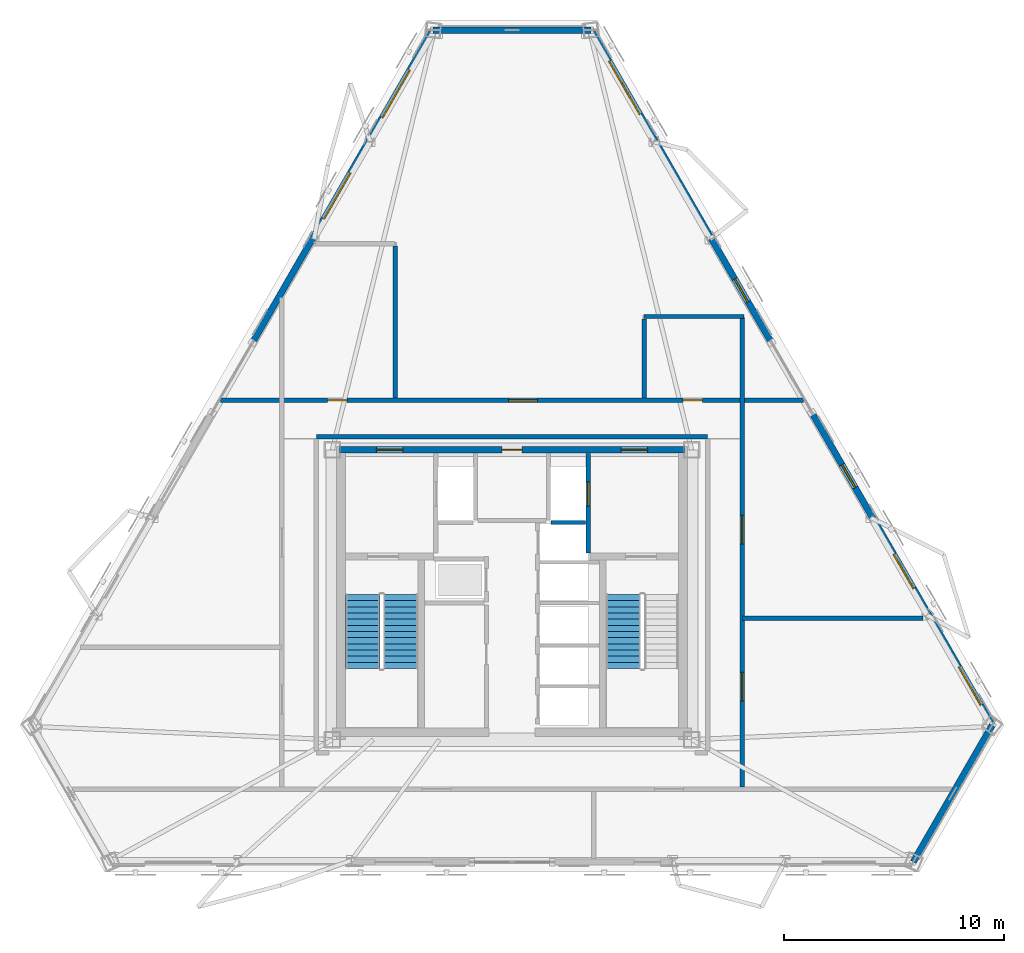
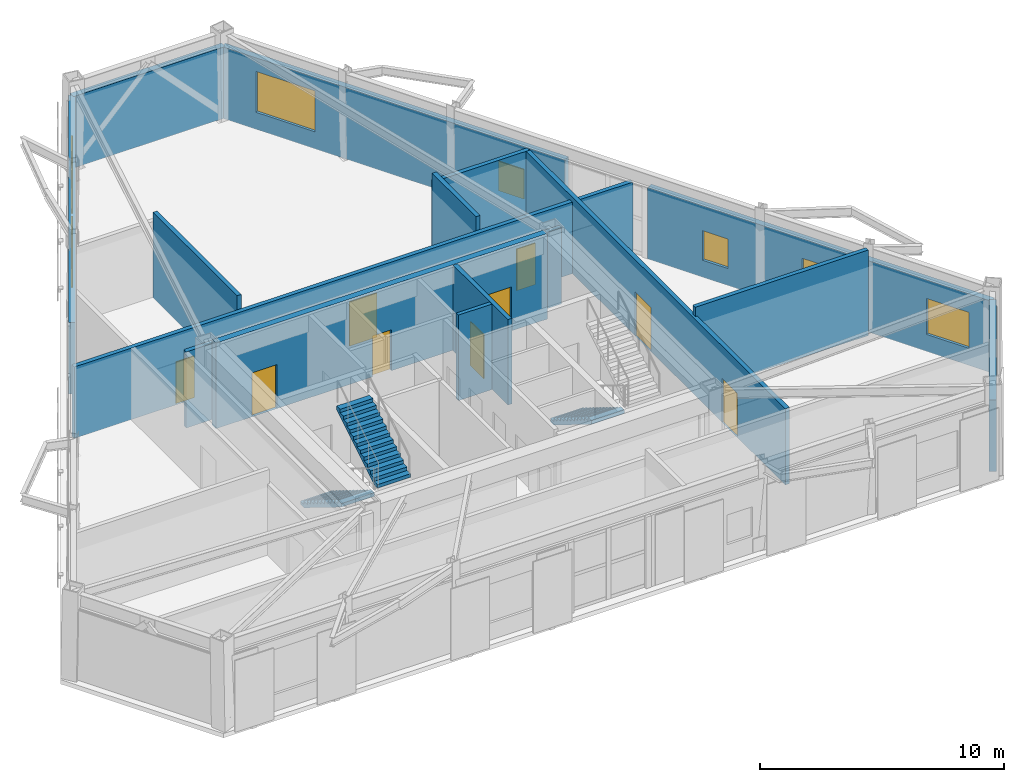
# One storey, part 9 of 14: 15 walls, 9 doors, 7 windows, 3 stair flights, 16 openings, 2 elements without a shape of their own.
"""IFC4 building model written with IfcOpenShell, lengths in metres."""

from ifc_helpers import new_model, si_unit, direction, frame, frame_2d, origin, place, context, subcontext, project, spatial, polyline, rectangle, outline, extrude, material, layer, layer_set, type_object, element, fill, aggregate, save


model = new_model("IFC4")

# Units and contexts
model_context = context("Model", 3, precision=1e-05, world=origin(), true_north=direction((0.0, 1.0)))
body_context = subcontext(model_context, "Body", "Model", "MODEL_VIEW")
ifc_project = project(units=[si_unit("LENGTHUNIT", "METRE"), si_unit("AREAUNIT", "SQUARE_METRE"), si_unit("VOLUMEUNIT", "CUBIC_METRE"), si_unit("PLANEANGLEUNIT", "RADIAN"), si_unit("MASSUNIT", "GRAM", prefix="KILO")], contexts=[model_context])

# Site, building, storey
site_placement = place(None, origin())
site = spatial("IfcSite", under=ifc_project, at=site_placement, CompositionType="ELEMENT")
building_placement = place(site_placement, origin())
building = spatial("IfcBuilding", under=site, at=building_placement, Name="Oramaril Tower", CompositionType="ELEMENT")
storey_placement = place(building_placement, frame((0.0, 0.0, 204.60009765625)))
storey = spatial("IfcBuildingStorey", under=building, at=storey_placement, Name="L54", CompositionType="ELEMENT", Elevation=204.60009765625)

# Wall
ifc_material_1 = material(Name="Warm Cream Limestone", Category="masonry")
ifc_layer_1 = layer(ifc_material_1, 0.2900390625)
ifc_layer_set_1 = layer_set([ifc_layer_1], Name="WT-EXT29")
wall_type_1 = type_object("IfcWallType", Name="WT-EXT29", PredefinedType="SOLIDWALL", material=ifc_layer_set_1)
wall_1_placement = place(storey_placement, frame((55.704833984375, 5.44921875, 0.0), z_axis=(0.0, 0.0, 1.0), x_axis=(0.499983756713, 0.866034781647, 0.0)))
element("IfcWall", 1, at=wall_1_placement, inside=storey, type_object=wall_type_1, Name="L54 Tower Limestone Facade Wall 3M", PredefinedType="SOLIDWALL", context=body_context, shape_type="SweptSolid", body=[
    extrude(rectangle(XDim=7.171142578125, YDim=0.2900390625, at=frame_2d((3.58544921875, 0.0))), origin(), (0.0, 0.0, 1.0), 3.576904296875),
])

# Wall, openings, windows
wall_2_placement = place(storey_placement, frame((59.290283203125, 11.65966796875, 0.0), z_axis=(0.0, 0.0, 1.0), x_axis=(-0.499999813892, 0.866025511234, 0.0)))
wall_2 = element("IfcWall", 2, at=wall_2_placement, inside=storey, type_object=wall_type_1, Name="L54 Tower Limestone Facade Wall 4L", PredefinedType="SOLIDWALL", context=body_context, shape_type="SweptSolid", body=[
    extrude(rectangle(XDim=16.2548828125, YDim=0.2900390625, at=frame_2d((8.12744140625, 0.0))), origin(), (0.0, 0.0, 1.0), 3.576904296875),
])
opening_1_placement = place(wall_2_placement, frame((1.04541015625, 0.0, 0.85009765625)))
opening_1 = element("IfcOpeningElement", 3, at=opening_1_placement, cuts=wall_2, Name="Opening WN-05", PredefinedType="OPENING", context=body_context, shape_type="SweptSolid", body=[
    extrude(rectangle(XDim=2.0, YDim=1.800048828125, at=frame_2d((1.0, 0.89990234375))), frame((0.0, 0.14501953125, 0.0), z_axis=(0.0, -1.0, 0.0), x_axis=(1.0, 0.0, 0.0)), (0.0, 0.0, 1.0), 0.2900390625),
])
opening_2_placement = place(wall_2_placement, frame((7.1474609375, 0.0, 0.85009765625)))
opening_2 = element("IfcOpeningElement", 4, at=opening_2_placement, cuts=wall_2, Name="Opening WN-06", PredefinedType="OPENING", context=body_context, shape_type="SweptSolid", body=[
    extrude(rectangle(XDim=1.800048828125, YDim=1.75, at=frame_2d((0.89990234375, 0.875))), frame((0.0, 0.14501953125, 0.0), z_axis=(0.0, -1.0, 0.0), x_axis=(1.0, 0.0, 0.0)), (0.0, 0.0, 1.0), 0.2900390625),
])
opening_3_placement = place(wall_2_placement, frame((12.44189453125, 0.0, 0.85009765625)))
opening_3 = element("IfcOpeningElement", 5, at=opening_3_placement, cuts=wall_2, Name="Opening WN-09", PredefinedType="OPENING", context=body_context, shape_type="SweptSolid", body=[
    extrude(rectangle(XDim=1.199951171875, YDim=1.47998046875, at=frame_2d((0.60009765625, 0.739990234375))), frame((0.0, 0.14501953125, 0.0), z_axis=(0.0, -1.0, 0.0), x_axis=(1.0, 0.0, 0.0)), (0.0, 0.0, 1.0), 0.2900390625),
])
ifc_material_2 = material(Name="Coastal Low-E Insulated Glass", Category="glass")
window_type_1 = type_object("IfcWindowType", Name="WNT-05", PartitioningType="SINGLE_PANEL", PredefinedType="WINDOW", material=ifc_material_2)
window_1_placement = place(opening_1_placement, origin())
window_1 = element("IfcWindow", 6, at=window_1_placement, inside=storey, type_object=window_type_1, Name="L54 Chicago Bay Window WN-05", OverallHeight=1.800048828125, OverallWidth=2.0, PartitioningType="SINGLE_PANEL", PredefinedType="WINDOW", context=body_context, shape_type="SweptSolid", body=[
    extrude(rectangle(XDim=2.0, YDim=1.800048828125, at=frame_2d((1.0, 0.89990234375))), frame((0.0, 0.030029296875, 0.0), z_axis=(0.0, -1.0, 0.0), x_axis=(1.0, 0.0, 0.0)), (0.0, 0.0, 1.0), 0.06005859375),
])
fill(opening_1, window_1)
ifc_material_3 = material(Name="Coastal Low-E Insulated Glass", Category="glass")
window_type_2 = type_object("IfcWindowType", Name="WNT-06", PartitioningType="SINGLE_PANEL", PredefinedType="WINDOW", material=ifc_material_3)
window_2_placement = place(opening_2_placement, origin())
window_2 = element("IfcWindow", 7, at=window_2_placement, inside=storey, type_object=window_type_2, Name="L54 Chicago Bay Window WN-06", OverallHeight=1.75, OverallWidth=1.800048828125, PartitioningType="SINGLE_PANEL", PredefinedType="WINDOW", context=body_context, shape_type="SweptSolid", body=[
    extrude(rectangle(XDim=1.800048828125, YDim=1.75, at=frame_2d((0.89990234375, 0.875))), frame((0.0, 0.030029296875, 0.0), z_axis=(0.0, -1.0, 0.0), x_axis=(1.0, 0.0, 0.0)), (0.0, 0.0, 1.0), 0.06005859375),
])
fill(opening_2, window_2)
ifc_material_4 = material(Name="Coastal Low-E Insulated Glass", Category="glass")
window_type_3 = type_object("IfcWindowType", Name="WNT-09", PartitioningType="SINGLE_PANEL", PredefinedType="WINDOW", material=ifc_material_4)
window_3_placement = place(opening_3_placement, origin())
window_3 = element("IfcWindow", 8, at=window_3_placement, inside=storey, type_object=window_type_3, Name="L54 Chicago Bay Window WN-09", OverallHeight=1.47998046875, OverallWidth=1.199951171875, PartitioningType="SINGLE_PANEL", PredefinedType="WINDOW", context=body_context, shape_type="SweptSolid", body=[
    extrude(rectangle(XDim=1.199951171875, YDim=1.47998046875, at=frame_2d((0.60009765625, 0.739990234375))), frame((0.0, 0.030029296875, 0.0), z_axis=(0.0, -1.0, 0.0), x_axis=(1.0, 0.0, 0.0)), (0.0, 0.0, 1.0), 0.06005859375),
])
fill(opening_3, window_3)

wall_3_placement = place(storey_placement, frame((49.212890625, 29.1142578125, 0.0), z_axis=(0.0, 0.0, 1.0), x_axis=(-0.500006317603, 0.866021756284, 0.0)))
wall_3 = element("IfcWall", 9, at=wall_3_placement, inside=storey, type_object=wall_type_1, Name="L54 Tower Limestone Facade Wall 4R", PredefinedType="SOLIDWALL", context=body_context, shape_type="SweptSolid", body=[
    extrude(rectangle(XDim=16.254638671875, YDim=0.2900390625, at=frame_2d((8.12744140625, 0.0))), origin(), (0.0, 0.0, 1.0), 3.576904296875),
])
opening_4_placement = place(wall_3_placement, frame((2.019287109375, 0.0, 0.85009765625)))
opening_4 = element("IfcOpeningElement", 10, at=opening_4_placement, cuts=wall_3, Name="Opening WN-09", PredefinedType="OPENING", context=body_context, shape_type="SweptSolid", body=[
    extrude(rectangle(XDim=1.199951171875, YDim=1.47998046875, at=frame_2d((0.60009765625, 0.739990234375))), frame((0.0, 0.14501953125, 0.0), z_axis=(0.0, -1.0, 0.0), x_axis=(1.0, 0.0, 0.0)), (0.0, 0.0, 1.0), 0.2900390625),
])
opening_5_placement = place(wall_3_placement, frame((11.83544921875, 0.0, 0.85009765625)))
opening_5 = element("IfcOpeningElement", 11, at=opening_5_placement, cuts=wall_3, Name="Opening WN-01", PredefinedType="OPENING", context=body_context, shape_type="SweptSolid", body=[
    extrude(rectangle(XDim=2.800048828125, YDim=2.050048828125, at=frame_2d((1.39990234375, 1.02490234375))), frame((0.0, 0.14501953125, 0.0), z_axis=(0.0, -1.0, 0.0), x_axis=(1.0, 0.0, 0.0)), (0.0, 0.0, 1.0), 0.2900390625),
])
ifc_material_5 = material(Name="Coastal Low-E Insulated Glass", Category="glass")
window_type_4 = type_object("IfcWindowType", Name="WNT-01", PartitioningType="SINGLE_PANEL", PredefinedType="WINDOW", material=ifc_material_5)
window_4_placement = place(opening_5_placement, origin())
window_4 = element("IfcWindow", 12, at=window_4_placement, inside=storey, type_object=window_type_4, Name="L54 Chicago Bay Window WN-01", OverallHeight=2.050048828125, OverallWidth=2.800048828125, PartitioningType="SINGLE_PANEL", PredefinedType="WINDOW", context=body_context, shape_type="SweptSolid", body=[
    extrude(rectangle(XDim=2.800048828125, YDim=2.050048828125, at=frame_2d((1.39990234375, 1.02490234375))), frame((0.0, 0.030029296875, 0.0), z_axis=(0.0, -1.0, 0.0), x_axis=(1.0, 0.0, 0.0)), (0.0, 0.0, 1.0), 0.06005859375),
])
fill(opening_5, window_4)
window_5_placement = place(opening_4_placement, origin())
window_5 = element("IfcWindow", 13, at=window_5_placement, inside=storey, type_object=window_type_3, Name="L54 Chicago Bay Window WN-09", OverallHeight=1.47998046875, OverallWidth=1.199951171875, PartitioningType="SINGLE_PANEL", PredefinedType="WINDOW", context=body_context, shape_type="SweptSolid", body=[
    extrude(rectangle(XDim=1.199951171875, YDim=1.47998046875, at=frame_2d((0.60009765625, 0.739990234375))), frame((0.0, 0.030029296875, 0.0), z_axis=(0.0, -1.0, 0.0), x_axis=(1.0, 0.0, 0.0)), (0.0, 0.0, 1.0), 0.06005859375),
])
fill(opening_4, window_5)

# Wall
wall_4_placement = place(storey_placement, frame((41.08544921875, 43.191162109375, 0.0), z_axis=(0.0, 0.0, 1.0), x_axis=(-1.0, 0.0, 0.0)))
element("IfcWall", 14, at=wall_4_placement, inside=storey, type_object=wall_type_1, Name="L54 Tower Limestone Facade Wall 5M", PredefinedType="SOLIDWALL", context=body_context, shape_type="SweptSolid", body=[
    extrude(rectangle(XDim=7.1708984375, YDim=0.2900390625, at=frame_2d((3.58544921875, 0.0))), origin(), (0.0, 0.0, 1.0), 3.576904296875),
])

# Wall, openings, windows
wall_5_placement = place(storey_placement, frame((33.91455078125, 43.191162109375, 0.0), z_axis=(0.0, 0.0, 1.0), x_axis=(-0.499999813892, -0.866025511234, 0.0)))
wall_5 = element("IfcWall", 15, at=wall_5_placement, inside=storey, type_object=wall_type_1, Name="L54 Tower Limestone Facade Wall 6L", PredefinedType="SOLIDWALL", context=body_context, shape_type="SweptSolid", body=[
    extrude(rectangle(XDim=16.2548828125, YDim=0.2900390625, at=frame_2d((8.12744140625, 0.0))), origin(), (0.0, 0.0, 1.0), 3.576904296875),
])
opening_6_placement = place(wall_5_placement, frame((2.09423828125, 0.0, 0.85009765625)))
opening_6 = element("IfcOpeningElement", 16, at=opening_6_placement, cuts=wall_5, Name="Opening WN-11", PredefinedType="OPENING", context=body_context, shape_type="SweptSolid", body=[
    extrude(rectangle(XDim=2.5, YDim=2.14990234375, at=frame_2d((1.25, 1.074951171875))), frame((0.0, 0.14501953125, 0.0), z_axis=(0.0, -1.0, 0.0), x_axis=(1.0, 0.0, 0.0)), (0.0, 0.0, 1.0), 0.2900390625),
])
opening_7_placement = place(wall_5_placement, frame((7.4853515625, 0.0, 0.85009765625)))
opening_7 = element("IfcOpeningElement", 17, at=opening_7_placement, cuts=wall_5, Name="Opening WN-03", PredefinedType="OPENING", context=body_context, shape_type="SweptSolid", body=[
    extrude(rectangle(XDim=2.39990234375, YDim=1.89990234375, at=frame_2d((1.199951171875, 0.949951171875))), frame((0.0, 0.14501953125, 0.0), z_axis=(0.0, -1.0, 0.0), x_axis=(1.0, 0.0, 0.0)), (0.0, 0.0, 1.0), 0.2900390625),
])
ifc_material_6 = material(Name="Coastal Low-E Insulated Glass", Category="glass")
window_type_5 = type_object("IfcWindowType", Name="WNT-03", PartitioningType="SINGLE_PANEL", PredefinedType="WINDOW", material=ifc_material_6)
window_6_placement = place(opening_7_placement, origin())
window_6 = element("IfcWindow", 18, at=window_6_placement, inside=storey, type_object=window_type_5, Name="L54 Chicago Bay Window WN-03", OverallHeight=1.89990234375, OverallWidth=2.39990234375, PartitioningType="SINGLE_PANEL", PredefinedType="WINDOW", context=body_context, shape_type="SweptSolid", body=[
    extrude(rectangle(XDim=2.39990234375, YDim=1.89990234375, at=frame_2d((1.199951171875, 0.949951171875))), frame((0.0, 0.030029296875, 0.0), z_axis=(0.0, -1.0, 0.0), x_axis=(1.0, 0.0, 0.0)), (0.0, 0.0, 1.0), 0.06005859375),
])
fill(opening_7, window_6)
ifc_material_7 = material(Name="Coastal Low-E Insulated Glass", Category="glass")
window_type_6 = type_object("IfcWindowType", Name="WNT-11", PartitioningType="SINGLE_PANEL", PredefinedType="WINDOW", material=ifc_material_7)
window_7_placement = place(opening_6_placement, origin())
window_7 = element("IfcWindow", 19, at=window_7_placement, inside=storey, type_object=window_type_6, Name="L54 Chicago Bay Window WN-11", OverallHeight=2.14990234375, OverallWidth=2.5, PartitioningType="SINGLE_PANEL", PredefinedType="WINDOW", context=body_context, shape_type="SweptSolid", body=[
    extrude(rectangle(XDim=2.5, YDim=2.14990234375, at=frame_2d((1.25, 1.074951171875))), frame((0.0, 0.030029296875, 0.0), z_axis=(0.0, -1.0, 0.0), x_axis=(1.0, 0.0, 0.0)), (0.0, 0.0, 1.0), 0.06005859375),
])
fill(opening_6, window_7)

# Walls
ifc_material_8 = material(Name="Autoclaved Cellular Concrete Block", Category="concrete")
ifc_layer_2 = layer(ifc_material_8, 0.179931640625)
ifc_layer_set_2 = layer_set([ifc_layer_2], Name="WT-PT18")
wall_type_2 = type_object("IfcWallType", Name="WT-PT18", PredefinedType="PARTITIONING", material=ifc_layer_set_2)
wall_6_placement = place(storey_placement, frame((39.260009765625, 20.860107421875, 0.0), z_axis=(0.0, 0.0, 1.0), x_axis=(1.0, 0.0, 0.0)))
element("IfcWall", 20, at=wall_6_placement, inside=storey, type_object=wall_type_2, Name="L54 FL-2 South Shaft Wall", PredefinedType="PARTITIONING", context=body_context, shape_type="SweptSolid", body=[
    extrude(rectangle(XDim=1.580078125, YDim=0.179931640625, at=frame_2d((0.7900390625, 0.0))), origin(), (0.0, 0.0, 1.0), 4.27978515625),
])
ifc_material_9 = material(Name="Autoclaved Cellular Concrete Block", Category="concrete")
ifc_layer_3 = layer(ifc_material_9, 0.199951171875)
ifc_layer_set_3 = layer_set([ifc_layer_3], Name="WT-PT20")
wall_type_3 = type_object("IfcWallType", Name="WT-PT20", PredefinedType="PARTITIONING", material=ifc_layer_set_3)
wall_7_placement = place(storey_placement, frame((47.949951171875, 16.5, 0.0), z_axis=(0.0, 0.0, 1.0), x_axis=(1.0, 0.0, 0.0)))
element("IfcWall", 21, at=wall_7_placement, inside=storey, type_object=wall_type_3, Name="L54 Interior Partition PT-20", PredefinedType="PARTITIONING", context=body_context, shape_type="SweptSolid", body=[
    extrude(rectangle(XDim=8.195068359375, YDim=0.199951171875, at=frame_2d((4.09765625, 0.0))), origin(), (0.0, 0.0, 1.0), 4.27978515625),
])
wall_8_placement = place(storey_placement, frame((28.6201171875, 24.75, 0.0), z_axis=(0.0, 0.0, 1.0), x_axis=(1.0, 0.0, 0.0)))
element("IfcWall", 22, at=wall_8_placement, inside=storey, type_object=wall_type_3, Name="L54 Interior Partition PT-20", PredefinedType="PARTITIONING", context=body_context, shape_type="SweptSolid", body=[
    extrude(rectangle(XDim=17.759765625, YDim=0.199951171875, at=frame_2d((8.8798828125, 0.0))), origin(), (0.0, 0.0, 1.0), 3.81298828125),
])

# Wall, openings, doors
wall_9_placement = place(storey_placement, frame((24.28369140625, 26.39990234375, 0.0), z_axis=(0.0, 0.0, 1.0), x_axis=(1.0, 0.0, 0.0)))
wall_9 = element("IfcWall", 23, at=wall_9_placement, inside=storey, type_object=wall_type_3, Name="L54 Interior Partition PT-20", PredefinedType="PARTITIONING", context=body_context, shape_type="SweptSolid", body=[
    extrude(rectangle(XDim=26.4326171875, YDim=0.199951171875, at=frame_2d((13.21630859375, 0.0))), origin(), (0.0, 0.0, 1.0), 3.576904296875),
])
opening_8_placement = place(wall_9_placement, frame((4.854736328125, 0.0, 0.0)))
opening_8 = element("IfcOpeningElement", 24, at=opening_8_placement, cuts=wall_9, Name="Opening D-L54-03", PredefinedType="OPENING", context=body_context, shape_type="SweptSolid", body=[
    extrude(rectangle(XDim=0.8798828125, YDim=2.080078125, at=frame_2d((0.43994140625, 1.0400390625))), frame((0.0, 0.10009765625, 0.0), z_axis=(0.0, -1.0, 0.0), x_axis=(1.0, 0.0, 0.0)), (0.0, 0.0, 1.0), 0.199951171875),
])
opening_9_placement = place(wall_9_placement, frame((13.065185546875, 0.0, 0.0)))
opening_9 = element("IfcOpeningElement", 25, at=opening_9_placement, cuts=wall_9, Name="Opening D-L54-04", PredefinedType="OPENING", context=body_context, shape_type="SweptSolid", body=[
    extrude(rectangle(XDim=1.300048828125, YDim=2.199951171875, at=frame_2d((0.64990234375, 1.10009765625))), frame((0.0, 0.10009765625, 0.0), z_axis=(0.0, -1.0, 0.0), x_axis=(1.0, 0.0, 0.0)), (0.0, 0.0, 1.0), 0.199951171875),
])
opening_10_placement = place(wall_9_placement, frame((20.975341796875, 0.0, 0.0)))
opening_10 = element("IfcOpeningElement", 26, at=opening_10_placement, cuts=wall_9, Name="Opening D-L54-05", PredefinedType="OPENING", context=body_context, shape_type="SweptSolid", body=[
    extrude(rectangle(XDim=0.8798828125, YDim=2.080078125, at=frame_2d((0.43994140625, 1.0400390625))), frame((0.0, 0.10009765625, 0.0), z_axis=(0.0, -1.0, 0.0), x_axis=(1.0, 0.0, 0.0)), (0.0, 0.0, 1.0), 0.199951171875),
])
ifc_material_10 = material(Name="FSC Brazilian Freijo Hardwood", Category="wood")
door_type_1 = type_object("IfcDoorType", Name="DT-BATH", OperationType="NOTDEFINED", PredefinedType="DOOR", material=ifc_material_10)
door_1_placement = place(opening_8_placement, origin())
door_1 = element("IfcDoor", 27, at=door_1_placement, inside=storey, type_object=door_type_1, Name="L54 L54 Sky Male WC Door D-L54-03", OperationType="SINGLE_SWING_RIGHT", OverallHeight=2.080078125, OverallWidth=0.8798828125, PredefinedType="DOOR", context=body_context, shape_type="SweptSolid", body=[
    extrude(rectangle(XDim=0.8798828125, YDim=2.080078125, at=frame_2d((0.43994140625, 1.0400390625))), frame((0.0, 0.02490234375, 0.0), z_axis=(0.0, -1.0, 0.0), x_axis=(1.0, 0.0, 0.0)), (0.0, 0.0, 1.0), 0.050048828125),
])
fill(opening_8, door_1)
door_2_placement = place(opening_10_placement, origin())
door_2 = element("IfcDoor", 28, at=door_2_placement, inside=storey, type_object=door_type_1, Name="L54 L54 Sky Accessible WC Door D-L54-05", OperationType="SINGLE_SWING_RIGHT", OverallHeight=2.080078125, OverallWidth=0.8798828125, PredefinedType="DOOR", context=body_context, shape_type="SweptSolid", body=[
    extrude(rectangle(XDim=0.8798828125, YDim=2.080078125, at=frame_2d((0.43994140625, 1.0400390625))), frame((0.0, 0.02490234375, 0.0), z_axis=(0.0, -1.0, 0.0), x_axis=(1.0, 0.0, 0.0)), (0.0, 0.0, 1.0), 0.050048828125),
])
fill(opening_10, door_2)
ifc_material_11 = material(Name="FSC Brazilian Freijo Hardwood", Category="wood")
door_type_2 = type_object("IfcDoorType", Name="DT-COM", OperationType="NOTDEFINED", PredefinedType="DOOR", material=ifc_material_11)
door_3_placement = place(opening_9_placement, origin())
door_3 = element("IfcDoor", 29, at=door_3_placement, inside=storey, type_object=door_type_2, Name="L54 L54 Botanical Sky Conservatory Gallery Door D-L54-04", OperationType="SINGLE_SWING_LEFT", OverallHeight=2.199951171875, OverallWidth=1.300048828125, PredefinedType="DOOR", context=body_context, shape_type="SweptSolid", body=[
    extrude(rectangle(XDim=1.300048828125, YDim=2.199951171875, at=frame_2d((0.64990234375, 1.10009765625))), frame((0.0, 0.02490234375, 0.0), z_axis=(0.0, -1.0, 0.0), x_axis=(1.0, 0.0, 0.0)), (0.0, 0.0, 1.0), 0.050048828125),
])
fill(opening_9, door_3)

# Walls
wall_10_placement = place(storey_placement, frame((43.5, 30.199951171875, 0.0), z_axis=(0.0, 0.0, 1.0), x_axis=(1.0, 0.0, 0.0)))
element("IfcWall", 30, at=wall_10_placement, inside=storey, type_object=wall_type_3, Name="L54 Interior Partition PT-20", PredefinedType="PARTITIONING", context=body_context, shape_type="SweptSolid", body=[
    extrude(rectangle(XDim=4.51806640625, YDim=0.199951171875, at=frame_2d((2.259033203125, 0.0))), origin(), (0.0, 0.0, 1.0), 3.81298828125),
])
wall_11_placement = place(storey_placement, frame((32.199951171875, 26.50390625, 0.0), z_axis=(0.0, 0.0, 1.0), x_axis=(0.0, 1.0, 0.0)))
element("IfcWall", 31, at=wall_11_placement, inside=storey, type_object=wall_type_3, Name="L54 Interior Partition PT-20", PredefinedType="PARTITIONING", context=body_context, shape_type="SweptSolid", body=[
    extrude(rectangle(XDim=6.89208984375, YDim=0.199951171875, at=frame_2d((3.446044921875, 0.0))), origin(), (0.0, 0.0, 1.0), 4.27978515625),
])
wall_12_placement = place(storey_placement, frame((43.5, 26.50390625, 0.0), z_axis=(0.0, 0.0, 1.0), x_axis=(0.0, 1.0, 0.0)))
element("IfcWall", 32, at=wall_12_placement, inside=storey, type_object=wall_type_3, Name="L54 Interior Partition PT-20", PredefinedType="PARTITIONING", context=body_context, shape_type="SweptSolid", body=[
    extrude(rectangle(XDim=3.592041015625, YDim=0.199951171875, at=frame_2d((1.7958984375, 0.0))), origin(), (0.0, 0.0, 1.0), 4.27978515625),
])

# Wall, openings, doors
wall_13_placement = place(storey_placement, frame((47.949951171875, 8.85400390625, 0.0), z_axis=(0.0, 0.0, 1.0), x_axis=(0.0, 1.0, 0.0)))
wall_13 = element("IfcWall", 33, at=wall_13_placement, inside=storey, type_object=wall_type_3, Name="L54 Interior Partition PT-20", PredefinedType="PARTITIONING", context=body_context, shape_type="SweptSolid", body=[
    extrude(rectangle(XDim=21.31005859375, YDim=0.199951171875, at=frame_2d((10.655029296875, 0.0))), origin(), (0.0, 0.0, 1.0), 3.81298828125),
])
opening_11_placement = place(wall_13_placement, frame((3.898193359375, 0.0, 0.0)))
opening_11 = element("IfcOpeningElement", 34, at=opening_11_placement, cuts=wall_13, Name="Opening D-L54-08", PredefinedType="OPENING", context=body_context, shape_type="SweptSolid", body=[
    extrude(rectangle(XDim=1.300048828125, YDim=2.199951171875, at=frame_2d((0.64990234375, 1.10009765625))), frame((0.0, 0.10009765625, 0.0), z_axis=(0.0, -1.0, 0.0), x_axis=(1.0, 0.0, 0.0)), (0.0, 0.0, 1.0), 0.199951171875),
])
opening_12_placement = place(wall_13_placement, frame((11.020263671875, 0.0, 0.0)))
opening_12 = element("IfcOpeningElement", 35, at=opening_12_placement, cuts=wall_13, Name="Opening D-L54-09", PredefinedType="OPENING", context=body_context, shape_type="SweptSolid", body=[
    extrude(rectangle(XDim=1.300048828125, YDim=2.199951171875, at=frame_2d((0.64990234375, 1.10009765625))), frame((0.0, 0.10009765625, 0.0), z_axis=(0.0, -1.0, 0.0), x_axis=(1.0, 0.0, 0.0)), (0.0, 0.0, 1.0), 0.199951171875),
])
door_4_placement = place(opening_11_placement, origin())
door_4 = element("IfcDoor", 36, at=door_4_placement, inside=storey, type_object=door_type_2, Name="L54 L54 Sky Boardroom Meeting Suite Door D-L54-08", OperationType="SINGLE_SWING_LEFT", OverallHeight=2.199951171875, OverallWidth=1.300048828125, PredefinedType="DOOR", context=body_context, shape_type="SweptSolid", body=[
    extrude(rectangle(XDim=1.300048828125, YDim=2.199951171875, at=frame_2d((0.64990234375, 1.10009765625))), frame((0.0, 0.02490234375, 0.0), z_axis=(0.0, -1.0, 0.0), x_axis=(1.0, 0.0, 0.0)), (0.0, 0.0, 1.0), 0.050048828125),
])
fill(opening_11, door_4)
door_5_placement = place(opening_12_placement, origin())
door_5 = element("IfcDoor", 37, at=door_5_placement, inside=storey, type_object=door_type_2, Name="L54 L54 Sky Co-Working Salon Door D-L54-09", OperationType="SINGLE_SWING_RIGHT", OverallHeight=2.199951171875, OverallWidth=1.300048828125, PredefinedType="DOOR", context=body_context, shape_type="SweptSolid", body=[
    extrude(rectangle(XDim=1.300048828125, YDim=2.199951171875, at=frame_2d((0.64990234375, 1.10009765625))), frame((0.0, 0.02490234375, 0.0), z_axis=(0.0, -1.0, 0.0), x_axis=(1.0, 0.0, 0.0)), (0.0, 0.0, 1.0), 0.050048828125),
])
fill(opening_12, door_5)

ifc_material_12 = material(Name="Concrete C50/60", Category="concrete")
ifc_layer_4 = layer(ifc_material_12, 0.300048828125)
ifc_layer_set_4 = layer_set([ifc_layer_4], Name="WT-SH30")
wall_type_4 = type_object("IfcWallType", Name="WT-SH30", PredefinedType="SHEAR", material=ifc_layer_set_4)
wall_14_placement = place(storey_placement, frame((29.64990234375, 24.14990234375, 0.0), z_axis=(0.0, 0.0, 1.0), x_axis=(1.0, 0.0, 0.0)))
wall_14 = element("IfcWall", 38, at=wall_14_placement, inside=storey, type_object=wall_type_4, Name="L54 Core Shear Wall CW-N", PredefinedType="SHEAR", context=body_context, shape_type="SweptSolid", body=[
    extrude(rectangle(XDim=15.7001953125, YDim=0.300048828125, at=frame_2d((7.85009765625, 0.0))), origin(), (0.0, 0.0, 1.0), 4.27978515625),
])
opening_13_placement = place(wall_14_placement, frame((1.699951171875, 0.0, 0.0)))
opening_13 = element("IfcOpeningElement", 39, at=opening_13_placement, cuts=wall_14, Name="Opening D-L54-FFL1", PredefinedType="OPENING", context=body_context, shape_type="SweptSolid", body=[
    extrude(rectangle(XDim=1.199951171875, YDim=2.199951171875, at=frame_2d((0.60009765625, 1.10009765625))), frame((0.0, 0.14990234375, 0.0), z_axis=(0.0, -1.0, 0.0), x_axis=(1.0, 0.0, 0.0)), (0.0, 0.0, 1.0), 0.300048828125),
])
opening_14_placement = place(wall_14_placement, frame((12.800048828125, 0.0, 0.0)))
opening_14 = element("IfcOpeningElement", 40, at=opening_14_placement, cuts=wall_14, Name="Opening D-L54-FFL2", PredefinedType="OPENING", context=body_context, shape_type="SweptSolid", body=[
    extrude(rectangle(XDim=1.199951171875, YDim=2.199951171875, at=frame_2d((0.60009765625, 1.10009765625))), frame((0.0, 0.14990234375, 0.0), z_axis=(0.0, -1.0, 0.0), x_axis=(1.0, 0.0, 0.0)), (0.0, 0.0, 1.0), 0.300048828125),
])
opening_15_placement = place(wall_14_placement, frame((7.39990234375, 0.0, 0.0)))
opening_15 = element("IfcOpeningElement", 41, at=opening_15_placement, cuts=wall_14, Name="Opening D-L54-SV1", PredefinedType="OPENING", context=body_context, shape_type="SweptSolid", body=[
    extrude(rectangle(XDim=0.89990234375, YDim=2.050048828125, at=frame_2d((0.449951171875, 1.02490234375))), frame((0.0, 0.14990234375, 0.0), z_axis=(0.0, -1.0, 0.0), x_axis=(1.0, 0.0, 0.0)), (0.0, 0.0, 1.0), 0.300048828125),
])
ifc_material_13 = material(Name="Painted Galvanised Steel", Category="steel")
door_type_3 = type_object("IfcDoorType", Name="DT-FFL", OperationType="NOTDEFINED", PredefinedType="DOOR", material=ifc_material_13)
door_6_placement = place(opening_13_placement, origin())
door_6 = element("IfcDoor", 42, at=door_6_placement, inside=storey, type_object=door_type_3, Name="L54 Firefighting Lobby 1 Fire Door", OperationType="SINGLE_SWING_LEFT", OverallHeight=2.199951171875, OverallWidth=1.199951171875, PredefinedType="DOOR", context=body_context, shape_type="SweptSolid", body=[
    extrude(rectangle(XDim=1.199951171875, YDim=2.199951171875, at=frame_2d((0.60009765625, 1.10009765625))), frame((0.0, 0.02490234375, 0.0), z_axis=(0.0, -1.0, 0.0), x_axis=(1.0, 0.0, 0.0)), (0.0, 0.0, 1.0), 0.050048828125),
])
fill(opening_13, door_6)
door_7_placement = place(opening_14_placement, origin())
door_7 = element("IfcDoor", 43, at=door_7_placement, inside=storey, type_object=door_type_3, Name="L54 Firefighting Lobby 2 Fire Door", OperationType="SINGLE_SWING_RIGHT", OverallHeight=2.199951171875, OverallWidth=1.199951171875, PredefinedType="DOOR", context=body_context, shape_type="SweptSolid", body=[
    extrude(rectangle(XDim=1.199951171875, YDim=2.199951171875, at=frame_2d((0.60009765625, 1.10009765625))), frame((0.0, 0.02490234375, 0.0), z_axis=(0.0, -1.0, 0.0), x_axis=(1.0, 0.0, 0.0)), (0.0, 0.0, 1.0), 0.050048828125),
])
fill(opening_14, door_7)
ifc_material_14 = material(Name="Painted Galvanised Steel", Category="steel")
door_type_4 = type_object("IfcDoorType", Name="DT-SVC", OperationType="NOTDEFINED", PredefinedType="DOOR", material=ifc_material_14)
door_8_placement = place(opening_15_placement, origin())
door_8 = element("IfcDoor", 44, at=door_8_placement, inside=storey, type_object=door_type_4, Name="L54 Core Janitor Store Door", OperationType="SINGLE_SWING_LEFT", OverallHeight=2.050048828125, OverallWidth=0.89990234375, PredefinedType="DOOR", context=body_context, shape_type="SweptSolid", body=[
    extrude(rectangle(XDim=0.89990234375, YDim=2.050048828125, at=frame_2d((0.449951171875, 1.02490234375))), frame((0.0, 0.02490234375, 0.0), z_axis=(0.0, -1.0, 0.0), x_axis=(1.0, 0.0, 0.0)), (0.0, 0.0, 1.0), 0.050048828125),
])
fill(opening_15, door_8)

# Wall, opening, door
ifc_material_15 = material(Name="Autoclaved Cellular Concrete Block", Category="concrete")
ifc_layer_5 = layer(ifc_material_15, 0.199951171875)
ifc_layer_set_5 = layer_set([ifc_layer_5], Name="WT-SHF20")
wall_type_5 = type_object("IfcWallType", Name="WT-SHF20", PredefinedType="PARTITIONING", material=ifc_layer_set_5)
wall_15_placement = place(storey_placement, frame((40.9599609375, 19.47998046875, 0.0), z_axis=(0.0, 0.0, 1.0), x_axis=(0.0, 1.0, 0.0)))
wall_15 = element("IfcWall", 45, at=wall_15_placement, inside=storey, type_object=wall_type_5, Name="L54 FL-2 Lobby Shaft Wall", PredefinedType="PARTITIONING", context=body_context, shape_type="SweptSolid", body=[
    extrude(rectangle(XDim=4.5, YDim=0.199951171875, at=frame_2d((2.25, 0.0))), origin(), (0.0, 0.0, 1.0), 4.27978515625),
])
opening_16_placement = place(wall_15_placement, frame((2.1201171875, 0.0, 0.0)))
opening_16 = element("IfcOpeningElement", 46, at=opening_16_placement, cuts=wall_15, Name="Opening LD-L54-FL-2", PredefinedType="OPENING", context=body_context, shape_type="SweptSolid", body=[
    extrude(rectangle(XDim=1.10009765625, YDim=2.199951171875, at=frame_2d((0.550048828125, 1.10009765625))), frame((0.0, 0.10009765625, 0.0), z_axis=(0.0, -1.0, 0.0), x_axis=(1.0, 0.0, 0.0)), (0.0, 0.0, 1.0), 0.199951171875),
])
ifc_material_16 = material(Name="Stainless Steel 316L", Category="steel")
door_type_5 = type_object("IfcDoorType", Name="DT-LD1", OperationType="NOTDEFINED", PredefinedType="DOOR", material=ifc_material_16)
door_9_placement = place(opening_16_placement, origin())
door_9 = element("IfcDoor", 47, at=door_9_placement, inside=storey, type_object=door_type_5, Name="L54 Lift FL-2 Sliding Landing Door", OperationType="SLIDING_TO_RIGHT", OverallHeight=2.199951171875, OverallWidth=1.10009765625, PredefinedType="DOOR", context=body_context, shape_type="SweptSolid", body=[
    extrude(rectangle(XDim=1.10009765625, YDim=2.199951171875, at=frame_2d((0.550048828125, 1.10009765625))), frame((0.0, 0.02490234375, 0.0), z_axis=(0.0, -1.0, 0.0), x_axis=(1.0, 0.0, 0.0)), (0.0, 0.0, 1.0), 0.050048828125),
])
fill(opening_16, door_9)

# Stair, stair flights
ifc_material_17 = material(Name="Concrete C50/60", Category="concrete")
stair_type = type_object("IfcStairType", Name="STT-DG-4500", PredefinedType="HALF_TURN_STAIR", material=ifc_material_17)
stair_1_placement = place(storey_placement, origin())
stair_1 = element("IfcStair", 48, at=stair_1_placement, inside=storey, type_object=stair_type, Name="L54 Protected PFP Exit Stair ST-1", PredefinedType="HALF_TURN_STAIR")
ifc_material_18 = material(Name="Concrete C50/60", Category="concrete")
stair_flight_type = type_object("IfcStairFlightType", Name="SFT-DG-4500", PredefinedType="STRAIGHT", material=ifc_material_18)
stair_flight_1_placement = place(storey_placement, frame((30.72998046875, 17.590087890625, 0.0), z_axis=(0.0, 0.0, 1.0), x_axis=(0.0, -1.0, 0.0)))
stair_flight_1 = element("IfcStairFlight", 49, at=stair_flight_1_placement, type_object=stair_flight_type, Name="ST-1 flight 1", NumberOfRisers=13, NumberOfTreads=12, PredefinedType="STRAIGHT", RiserHeight=0.173076923, TreadLength=0.28, context=body_context, shape_type="SweptSolid", body=[
    extrude(outline(polyline([(0.0, 0.0), (0.0, 0.173095703125), (0.280029296875, 0.173095703125), (0.280029296875, 0.34619140625), (0.56005859375, 0.34619140625), (0.56005859375, 0.519287109375), (0.840087890625, 0.519287109375), (0.840087890625, 0.6923828125), (1.1201171875, 0.6923828125), (1.1201171875, 0.865478515625), (1.39990234375, 0.865478515625), (1.39990234375, 1.03857421875), (1.679931640625, 1.03857421875), (1.679931640625, 1.21142578125), (1.9599609375, 1.21142578125), (1.9599609375, 1.384521484375), (2.239990234375, 1.384521484375), (2.239990234375, 1.5576171875), (2.52001953125, 1.5576171875), (2.52001953125, 1.730712890625), (2.800048828125, 1.730712890625), (2.800048828125, 1.90380859375), (3.080078125, 1.90380859375), (3.080078125, 2.076904296875), (3.360107421875, 2.076904296875), (3.360107421875, 2.25), (3.360107421875, 1.900634765625), (0.28515625, 0.0), (0.0, 0.0)])), frame((0.0, 0.780029296875, 0.0), z_axis=(0.0, -1.0, 0.0), x_axis=(1.0, 0.0, 0.0)), (0.0, 0.0, 1.0), 1.56005859375),
])
stair_flight_2_placement = place(storey_placement, frame((32.43994140625, 14.22998046875, 2.25), z_axis=(0.0, 0.0, 1.0), x_axis=(0.0, 1.0, 0.0)))
stair_flight_2 = element("IfcStairFlight", 50, at=stair_flight_2_placement, type_object=stair_flight_type, Name="ST-1 flight 2", NumberOfRisers=13, NumberOfTreads=12, PredefinedType="STRAIGHT", RiserHeight=0.173076923, TreadLength=0.28, context=body_context, shape_type="SweptSolid", body=[
    extrude(outline(polyline([(0.0, 0.0), (0.0, 0.173095703125), (0.280029296875, 0.173095703125), (0.280029296875, 0.34619140625), (0.56005859375, 0.34619140625), (0.56005859375, 0.519287109375), (0.840087890625, 0.519287109375), (0.840087890625, 0.6923828125), (1.1201171875, 0.6923828125), (1.1201171875, 0.865478515625), (1.39990234375, 0.865478515625), (1.39990234375, 1.03857421875), (1.679931640625, 1.03857421875), (1.679931640625, 1.21142578125), (1.9599609375, 1.21142578125), (1.9599609375, 1.384521484375), (2.239990234375, 1.384521484375), (2.239990234375, 1.5576171875), (2.52001953125, 1.5576171875), (2.52001953125, 1.730712890625), (2.800048828125, 1.730712890625), (2.800048828125, 1.90380859375), (3.080078125, 1.90380859375), (3.080078125, 2.076904296875), (3.360107421875, 2.076904296875), (3.360107421875, 2.25), (3.360107421875, 1.900634765625), (0.28515625, 0.0), (0.0, 0.0)])), frame((0.0, 0.780029296875, 0.0), z_axis=(0.0, -1.0, 0.0), x_axis=(1.0, 0.0, 0.0)), (0.0, 0.0, 1.0), 1.56005859375),
])
aggregate(stair_1, [stair_flight_1, stair_flight_2])

# Stair, stair flight
stair_2_placement = place(storey_placement, origin())
stair_2 = element("IfcStair", 51, at=stair_2_placement, inside=storey, type_object=stair_type, Name="L54 Protected PFP Exit Stair ST-2", PredefinedType="HALF_TURN_STAIR")
stair_flight_3_placement = place(storey_placement, frame((42.56005859375, 17.590087890625, 0.0), z_axis=(0.0, 0.0, 1.0), x_axis=(0.0, -1.0, 0.0)))
stair_flight_3 = element("IfcStairFlight", 52, at=stair_flight_3_placement, type_object=stair_flight_type, Name="ST-2 flight 1", NumberOfRisers=13, NumberOfTreads=12, PredefinedType="STRAIGHT", RiserHeight=0.173076923, TreadLength=0.28, context=body_context, shape_type="SweptSolid", body=[
    extrude(outline(polyline([(0.0, 0.0), (0.0, 0.173095703125), (0.280029296875, 0.173095703125), (0.280029296875, 0.34619140625), (0.56005859375, 0.34619140625), (0.56005859375, 0.519287109375), (0.840087890625, 0.519287109375), (0.840087890625, 0.6923828125), (1.1201171875, 0.6923828125), (1.1201171875, 0.865478515625), (1.39990234375, 0.865478515625), (1.39990234375, 1.03857421875), (1.679931640625, 1.03857421875), (1.679931640625, 1.21142578125), (1.9599609375, 1.21142578125), (1.9599609375, 1.384521484375), (2.239990234375, 1.384521484375), (2.239990234375, 1.5576171875), (2.52001953125, 1.5576171875), (2.52001953125, 1.730712890625), (2.800048828125, 1.730712890625), (2.800048828125, 1.90380859375), (3.080078125, 1.90380859375), (3.080078125, 2.076904296875), (3.360107421875, 2.076904296875), (3.360107421875, 2.25), (3.360107421875, 1.900634765625), (0.28515625, 0.0), (0.0, 0.0)])), frame((0.0, 0.780029296875, 0.0), z_axis=(0.0, -1.0, 0.0), x_axis=(1.0, 0.0, 0.0)), (0.0, 0.0, 1.0), 1.56005859375),
])
aggregate(stair_2, [stair_flight_3])

save(model, "model.ifc")
